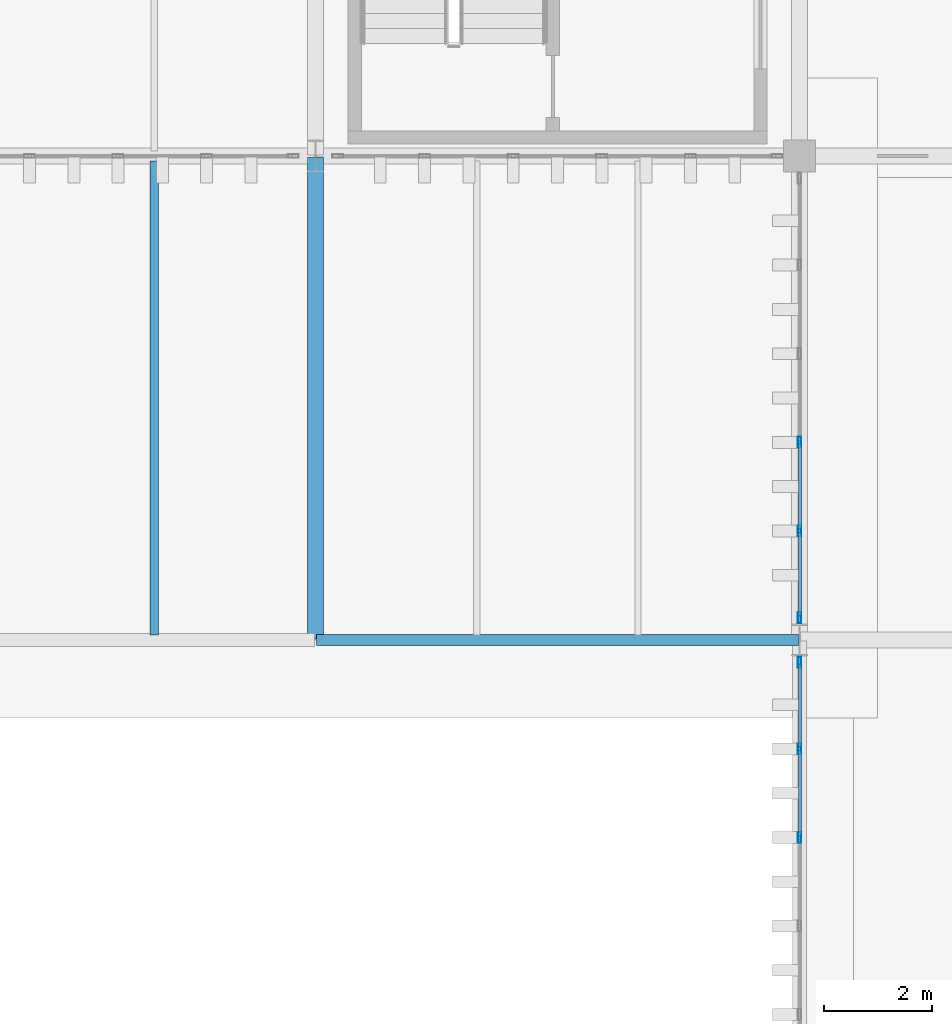
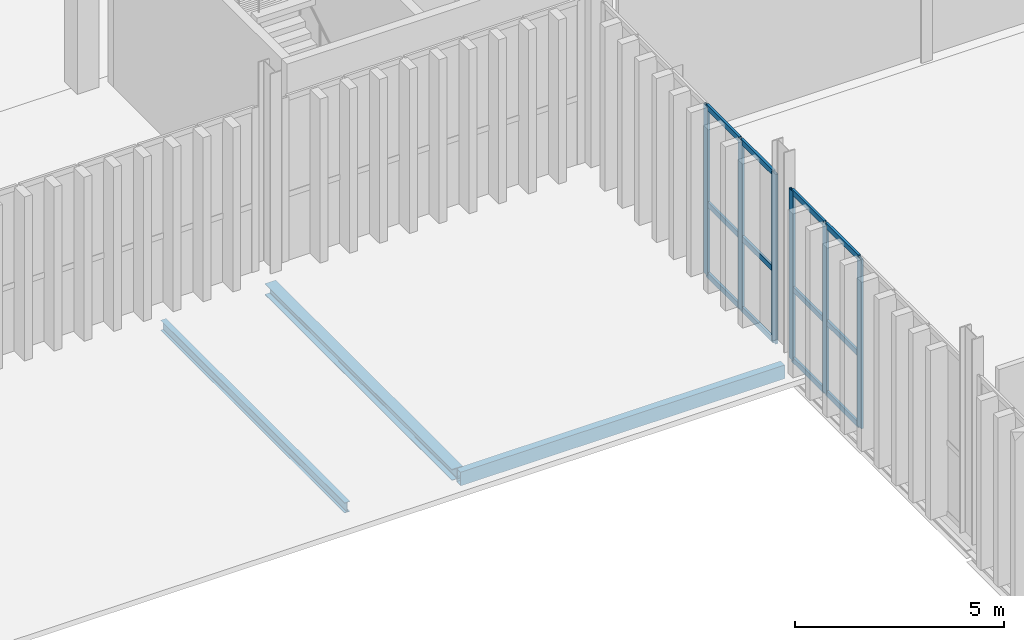
# One storey, part 69 of 211: 18 members, 3 beams, 2 elements without a shape of their own.
"""IFC4 building model written with IfcOpenShell, lengths in metres."""

from ifc_helpers import new_model, si_unit, direction, frame, origin, origin_2d, place, context, subcontext, project, spatial, hollow_rectangle, i_section, extrude, material, layer, layer_set, material_profile, profile_set, type_object, element, aggregate, save


model = new_model("IFC4")

# Units and contexts
model_context = context("Model", 3, precision=1e-05, world=origin(), true_north=direction((0.0, 1.0)))
body_context = subcontext(model_context, "Body", "Model", "MODEL_VIEW")
ifc_project = project(units=[si_unit("LENGTHUNIT", "METRE"), si_unit("AREAUNIT", "SQUARE_METRE"), si_unit("VOLUMEUNIT", "CUBIC_METRE"), si_unit("PLANEANGLEUNIT", "RADIAN"), si_unit("MASSUNIT", "GRAM", prefix="KILO")], contexts=[model_context])

# Site, building, storey
site_placement = place(None, origin())
site = spatial("IfcSite", under=ifc_project, at=site_placement, CompositionType="ELEMENT")
building_placement = place(site_placement, origin())
building = spatial("IfcBuilding", under=site, at=building_placement, Name="Barlavento Convention Centre", CompositionType="ELEMENT")
storey_placement = place(building_placement, frame((0.0, 0.0, 6.0)))
storey = spatial("IfcBuildingStorey", under=building, at=storey_placement, Name="L01", CompositionType="ELEMENT", Elevation=6.0)

# Curtain wall, members
ifc_material_1 = material(Name="Powder-coated aluminium and Low-E glass", Category="aluminium")
ifc_layer = layer(ifc_material_1, 0.18994140625)
ifc_layer_set = layer_set([ifc_layer], Name="ARC-CW-BALL-L01")
curtain_wall_type = type_object("IfcCurtainWallType", Name="ARC-CW-BALL-L01", PredefinedType="NOTDEFINED", material=ifc_layer_set)
curtain_wall_1_placement = place(storey_placement, origin())
curtain_wall_1 = element("IfcCurtainWall", 1, at=curtain_wall_1_placement, inside=storey, type_object=curtain_wall_type, Name="L01 unitised curtain wall CW06", PredefinedType="NOTDEFINED")
ifc_material_2 = material(Name="Powder-coated aluminium", Category="aluminium")
ifc_material_profile_1 = material_profile(ifc_material_2, hollow_rectangle(XDim=0.06494140625, YDim=0.199951171875, WallThickness=0.0048828125, at=origin_2d()), Name="AL-MULL 65x200x5")
ifc_profile_set_1 = profile_set([ifc_material_profile_1], Name="Powder-coated aluminium")
member_type_1 = type_object("IfcMemberType", Name="ARC-CWM-65X200", PredefinedType="MULLION", material=ifc_profile_set_1)
member_1_placement = place(storey_placement, frame((126.0, 32.327880859375, 0.0), z_axis=(0.0, 0.0, 1.0), x_axis=(-1.0, 0.0, 0.0)))
member_1 = element("IfcMember", 2, at=member_1_placement, type_object=member_type_1, Name="CW06 mullion 4", PredefinedType="MULLION", context=body_context, shape_type="SweptSolid", body=[
    extrude(hollow_rectangle(XDim=0.06494140625, YDim=0.199951171875, WallThickness=0.0048828125, at=origin_2d()), origin(), (0.0, 0.0, 1.0), 4.949951171875),
])
member_2_placement = place(storey_placement, frame((126.0, 33.97412109375, 0.0), z_axis=(0.0, 0.0, 1.0), x_axis=(-1.0, 0.0, 0.0)))
member_2 = element("IfcMember", 3, at=member_2_placement, type_object=member_type_1, Name="CW06 mullion 5", PredefinedType="MULLION", context=body_context, shape_type="SweptSolid", body=[
    extrude(hollow_rectangle(XDim=0.06494140625, YDim=0.199951171875, WallThickness=0.0048828125, at=origin_2d()), origin(), (0.0, 0.0, 1.0), 4.949951171875),
])
member_3_placement = place(storey_placement, frame((126.0, 35.58740234375, 0.0), z_axis=(0.0, 0.0, 1.0), x_axis=(-1.0, 0.0, 0.0)))
member_3 = element("IfcMember", 4, at=member_3_placement, type_object=member_type_1, Name="CW06 mullion 6", PredefinedType="MULLION", context=body_context, shape_type="SweptSolid", body=[
    extrude(hollow_rectangle(XDim=0.06494140625, YDim=0.199951171875, WallThickness=0.0048828125, at=origin_2d()), origin(), (0.0, 0.0, 1.0), 4.949951171875),
])

curtain_wall_2_placement = place(storey_placement, origin())
curtain_wall_2 = element("IfcCurtainWall", 5, at=curtain_wall_2_placement, inside=storey, type_object=curtain_wall_type, Name="L01 unitised curtain wall CW06", PredefinedType="NOTDEFINED")
member_4_placement = place(storey_placement, frame((126.0, 36.41259765625, 0.0), z_axis=(0.0, 0.0, 1.0), x_axis=(-1.0, 0.0, 0.0)))
member_4 = element("IfcMember", 6, at=member_4_placement, type_object=member_type_1, Name="CW06 mullion 1", PredefinedType="MULLION", context=body_context, shape_type="SweptSolid", body=[
    extrude(hollow_rectangle(XDim=0.06494140625, YDim=0.199951171875, WallThickness=0.0048828125, at=origin_2d()), origin(), (0.0, 0.0, 1.0), 4.949951171875),
])
member_5_placement = place(storey_placement, frame((126.0, 38.028076171875, 0.0), z_axis=(0.0, 0.0, 1.0), x_axis=(-1.0, 0.0, 0.0)))
member_5 = element("IfcMember", 7, at=member_5_placement, type_object=member_type_1, Name="CW06 mullion 2", PredefinedType="MULLION", context=body_context, shape_type="SweptSolid", body=[
    extrude(hollow_rectangle(XDim=0.06494140625, YDim=0.199951171875, WallThickness=0.0048828125, at=origin_2d()), origin(), (0.0, 0.0, 1.0), 4.949951171875),
])
member_6_placement = place(storey_placement, frame((126.0, 39.676025390625, 0.0), z_axis=(0.0, 0.0, 1.0), x_axis=(-1.0, 0.0, 0.0)))
member_6 = element("IfcMember", 8, at=member_6_placement, type_object=member_type_1, Name="CW06 mullion 3", PredefinedType="MULLION", context=body_context, shape_type="SweptSolid", body=[
    extrude(hollow_rectangle(XDim=0.06494140625, YDim=0.199951171875, WallThickness=0.0048828125, at=origin_2d()), origin(), (0.0, 0.0, 1.0), 4.949951171875),
])

# Member
ifc_material_profile_2 = material_profile(ifc_material_2, hollow_rectangle(XDim=0.06494140625, YDim=0.159912109375, WallThickness=0.0048828125, at=origin_2d()), Name="AL-TRAN 65x160x5")
ifc_profile_set_2 = profile_set([ifc_material_profile_2], Name="Powder-coated aluminium")
member_type_2 = type_object("IfcMemberType", Name="ARC-CWT-65X160", PredefinedType="USERDEFINED", material=ifc_profile_set_2)
member_7_placement = place(storey_placement, frame((126.0, 32.360595703125, 0.032470703125), z_axis=(0.0, 1.0, 0.0), x_axis=(-1.0, 0.0, 0.0)))
member_7 = element("IfcMember", 9, at=member_7_placement, type_object=member_type_2, Name="CW06 transom 4.1", ObjectType="TRANSOM", PredefinedType="USERDEFINED", context=body_context, shape_type="SweptSolid", body=[
    extrude(hollow_rectangle(XDim=0.06494140625, YDim=0.159912109375, WallThickness=0.0048828125, at=origin_2d()), origin(), (0.0, 0.0, 1.0), 1.580810546875),
])

member_8_placement = place(storey_placement, frame((126.0, 32.360595703125, 2.10009765625), z_axis=(0.0, 1.0, 0.0), x_axis=(-1.0, 0.0, 0.0)))
member_8 = element("IfcMember", 10, at=member_8_placement, type_object=member_type_2, Name="CW06 transom 4.2", ObjectType="TRANSOM", PredefinedType="USERDEFINED", context=body_context, shape_type="SweptSolid", body=[
    extrude(hollow_rectangle(XDim=0.06494140625, YDim=0.159912109375, WallThickness=0.0048828125, at=origin_2d()), origin(), (0.0, 0.0, 1.0), 1.580810546875),
])

member_9_placement = place(storey_placement, frame((126.0, 32.360595703125, 4.91748046875), z_axis=(0.0, 1.0, 0.0), x_axis=(-1.0, 0.0, 0.0)))
member_9 = element("IfcMember", 11, at=member_9_placement, type_object=member_type_2, Name="CW06 transom 4.3", ObjectType="TRANSOM", PredefinedType="USERDEFINED", context=body_context, shape_type="SweptSolid", body=[
    extrude(hollow_rectangle(XDim=0.06494140625, YDim=0.159912109375, WallThickness=0.0048828125, at=origin_2d()), origin(), (0.0, 0.0, 1.0), 1.580810546875),
])

member_10_placement = place(storey_placement, frame((126.0, 34.006591796875, 0.032470703125), z_axis=(0.0, 1.0, 0.0), x_axis=(-1.0, 0.0, 0.0)))
member_10 = element("IfcMember", 12, at=member_10_placement, type_object=member_type_2, Name="CW06 transom 5.1", ObjectType="TRANSOM", PredefinedType="USERDEFINED", context=body_context, shape_type="SweptSolid", body=[
    extrude(hollow_rectangle(XDim=0.06494140625, YDim=0.159912109375, WallThickness=0.0048828125, at=origin_2d()), origin(), (0.0, 0.0, 1.0), 1.54833984375),
])

member_11_placement = place(storey_placement, frame((126.0, 34.006591796875, 2.10009765625), z_axis=(0.0, 1.0, 0.0), x_axis=(-1.0, 0.0, 0.0)))
member_11 = element("IfcMember", 13, at=member_11_placement, type_object=member_type_2, Name="CW06 transom 5.2", ObjectType="TRANSOM", PredefinedType="USERDEFINED", context=body_context, shape_type="SweptSolid", body=[
    extrude(hollow_rectangle(XDim=0.06494140625, YDim=0.159912109375, WallThickness=0.0048828125, at=origin_2d()), origin(), (0.0, 0.0, 1.0), 1.54833984375),
])

member_12_placement = place(storey_placement, frame((126.0, 34.006591796875, 4.91748046875), z_axis=(0.0, 1.0, 0.0), x_axis=(-1.0, 0.0, 0.0)))
member_12 = element("IfcMember", 14, at=member_12_placement, type_object=member_type_2, Name="CW06 transom 5.3", ObjectType="TRANSOM", PredefinedType="USERDEFINED", context=body_context, shape_type="SweptSolid", body=[
    extrude(hollow_rectangle(XDim=0.06494140625, YDim=0.159912109375, WallThickness=0.0048828125, at=origin_2d()), origin(), (0.0, 0.0, 1.0), 1.54833984375),
])

aggregate(curtain_wall_1, [member_1, member_2, member_3, member_7, member_8, member_9, member_10, member_11, member_12])

member_13_placement = place(storey_placement, frame((126.0, 36.445068359375, 0.032470703125), z_axis=(0.0, 1.0, 0.0), x_axis=(-1.0, 0.0, 0.0)))
member_13 = element("IfcMember", 15, at=member_13_placement, type_object=member_type_2, Name="CW06 transom 1.1", ObjectType="TRANSOM", PredefinedType="USERDEFINED", context=body_context, shape_type="SweptSolid", body=[
    extrude(hollow_rectangle(XDim=0.06494140625, YDim=0.159912109375, WallThickness=0.0048828125, at=origin_2d()), origin(), (0.0, 0.0, 1.0), 1.550537109375),
])

member_14_placement = place(storey_placement, frame((126.0, 36.445068359375, 2.10009765625), z_axis=(0.0, 1.0, 0.0), x_axis=(-1.0, 0.0, 0.0)))
member_14 = element("IfcMember", 16, at=member_14_placement, type_object=member_type_2, Name="CW06 transom 1.2", ObjectType="TRANSOM", PredefinedType="USERDEFINED", context=body_context, shape_type="SweptSolid", body=[
    extrude(hollow_rectangle(XDim=0.06494140625, YDim=0.159912109375, WallThickness=0.0048828125, at=origin_2d()), origin(), (0.0, 0.0, 1.0), 1.550537109375),
])

member_15_placement = place(storey_placement, frame((126.0, 36.445068359375, 4.91748046875), z_axis=(0.0, 1.0, 0.0), x_axis=(-1.0, 0.0, 0.0)))
member_15 = element("IfcMember", 17, at=member_15_placement, type_object=member_type_2, Name="CW06 transom 1.3", ObjectType="TRANSOM", PredefinedType="USERDEFINED", context=body_context, shape_type="SweptSolid", body=[
    extrude(hollow_rectangle(XDim=0.06494140625, YDim=0.159912109375, WallThickness=0.0048828125, at=origin_2d()), origin(), (0.0, 0.0, 1.0), 1.550537109375),
])

member_16_placement = place(storey_placement, frame((126.0, 38.060546875, 0.032470703125), z_axis=(0.0, 1.0, 0.0), x_axis=(-1.0, 0.0, 0.0)))
member_16 = element("IfcMember", 18, at=member_16_placement, type_object=member_type_2, Name="CW06 transom 2.1", ObjectType="TRANSOM", PredefinedType="USERDEFINED", context=body_context, shape_type="SweptSolid", body=[
    extrude(hollow_rectangle(XDim=0.06494140625, YDim=0.159912109375, WallThickness=0.0048828125, at=origin_2d()), origin(), (0.0, 0.0, 1.0), 1.5830078125),
])

member_17_placement = place(storey_placement, frame((126.0, 38.060546875, 2.10009765625), z_axis=(0.0, 1.0, 0.0), x_axis=(-1.0, 0.0, 0.0)))
member_17 = element("IfcMember", 19, at=member_17_placement, type_object=member_type_2, Name="CW06 transom 2.2", ObjectType="TRANSOM", PredefinedType="USERDEFINED", context=body_context, shape_type="SweptSolid", body=[
    extrude(hollow_rectangle(XDim=0.06494140625, YDim=0.159912109375, WallThickness=0.0048828125, at=origin_2d()), origin(), (0.0, 0.0, 1.0), 1.5830078125),
])

member_18_placement = place(storey_placement, frame((126.0, 38.060546875, 4.91748046875), z_axis=(0.0, 1.0, 0.0), x_axis=(-1.0, 0.0, 0.0)))
member_18 = element("IfcMember", 20, at=member_18_placement, type_object=member_type_2, Name="CW06 transom 2.3", ObjectType="TRANSOM", PredefinedType="USERDEFINED", context=body_context, shape_type="SweptSolid", body=[
    extrude(hollow_rectangle(XDim=0.06494140625, YDim=0.159912109375, WallThickness=0.0048828125, at=origin_2d()), origin(), (0.0, 0.0, 1.0), 1.5830078125),
])

aggregate(curtain_wall_2, [member_4, member_5, member_6, member_13, member_14, member_15, member_16, member_17, member_18])

# Beams
ifc_material_3 = material(Name="Steel S355", Category="steel")
ifc_material_profile_3 = material_profile(ifc_material_3, i_section(OverallWidth=0.14990234375, OverallDepth=0.300048828125, WebThickness=0.007080078125, FlangeThickness=0.0107421875, FilletRadius=0.014892578125, at=origin_2d()), Name="IPE 300")
ifc_profile_set_3 = profile_set([ifc_material_profile_3], Name="Steel S355")
beam_type_1 = type_object("IfcBeamType", Name="STR-BM-JST-IPE300", PredefinedType="JOIST", material=ifc_profile_set_3)
beam_1_placement = place(storey_placement, frame((114.0, 36.094970703125, -0.43994140625), z_axis=(0.0, 1.0, 0.0), x_axis=(-1.0, 0.0, 0.0)))
element("IfcBeam", 21, at=beam_1_placement, inside=storey, type_object=beam_type_1, Name="L01 composite floor joist SJ07", PredefinedType="JOIST", context=body_context, shape_type="SweptSolid", body=[
    extrude(i_section(OverallWidth=0.14990234375, OverallDepth=0.300048828125, WebThickness=0.007080078125, FlangeThickness=0.0107421875, FilletRadius=0.014892578125, at=origin_2d()), origin(), (0.0, 0.0, 1.0), 8.81005859375),
])
ifc_material_profile_4 = material_profile(ifc_material_3, i_section(OverallWidth=0.300048828125, OverallDepth=0.330078125, WebThickness=0.009521484375, FlangeThickness=0.0166015625, FilletRadius=0.027099609375, at=origin_2d()), Name="HEA 340")
ifc_profile_set_4 = profile_set([ifc_material_profile_4], Name="Steel S355")
beam_type_2 = type_object("IfcBeamType", Name="STR-BM-PRI-HEA340", PredefinedType="BEAM", material=ifc_profile_set_4)
beam_2_placement = place(storey_placement, frame((117.0, 36.02001953125, -0.455078125), z_axis=(0.0, 1.0, 0.0), x_axis=(-1.0, 0.0, 0.0)))
element("IfcBeam", 22, at=beam_2_placement, inside=storey, type_object=beam_type_2, Name="L01 grid girder BG24", PredefinedType="BEAM", context=body_context, shape_type="SweptSolid", body=[
    extrude(i_section(OverallWidth=0.300048828125, OverallDepth=0.330078125, WebThickness=0.009521484375, FlangeThickness=0.0166015625, FilletRadius=0.027099609375, at=origin_2d()), origin(), (0.0, 0.0, 1.0), 8.9599609375),
])
ifc_material_profile_5 = material_profile(ifc_material_3, hollow_rectangle(XDim=0.199951171875, YDim=0.39990234375, WallThickness=0.01611328125, at=origin_2d()), Name="RHS 400x200x16.0")
ifc_profile_set_5 = profile_set([ifc_material_profile_5], Name="Steel S355")
beam_type_3 = type_object("IfcBeamType", Name="STR-BM-SPN-RHS400", PredefinedType="SPANDREL", material=ifc_profile_set_5)
beam_3_placement = place(storey_placement, frame((117.02001953125, 36.0, -0.56005859375), z_axis=(1.0, 0.0, 0.0), x_axis=(0.0, 1.0, 0.0)))
element("IfcBeam", 23, at=beam_3_placement, inside=storey, type_object=beam_type_3, Name="L01 primary girder SP06", PredefinedType="SPANDREL", context=body_context, shape_type="SweptSolid", body=[
    extrude(hollow_rectangle(XDim=0.199951171875, YDim=0.39990234375, WallThickness=0.01611328125, at=origin_2d()), origin(), (0.0, 0.0, 1.0), 8.9599609375),
])

save(model, "model.ifc")
